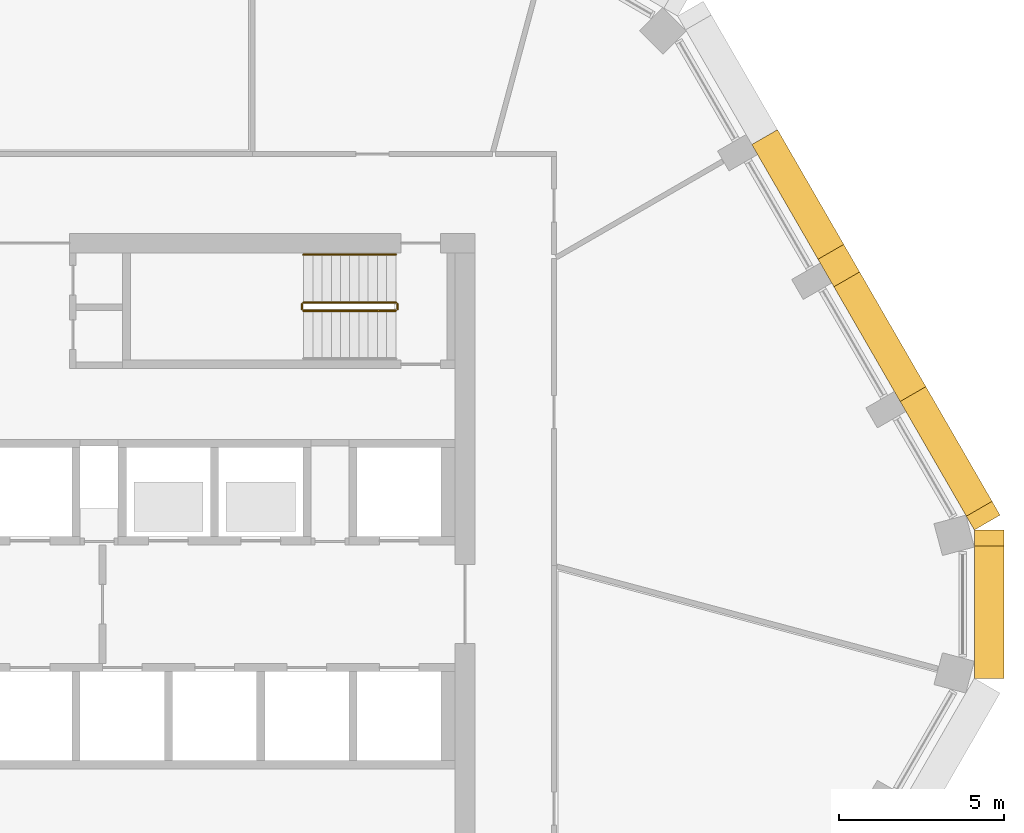
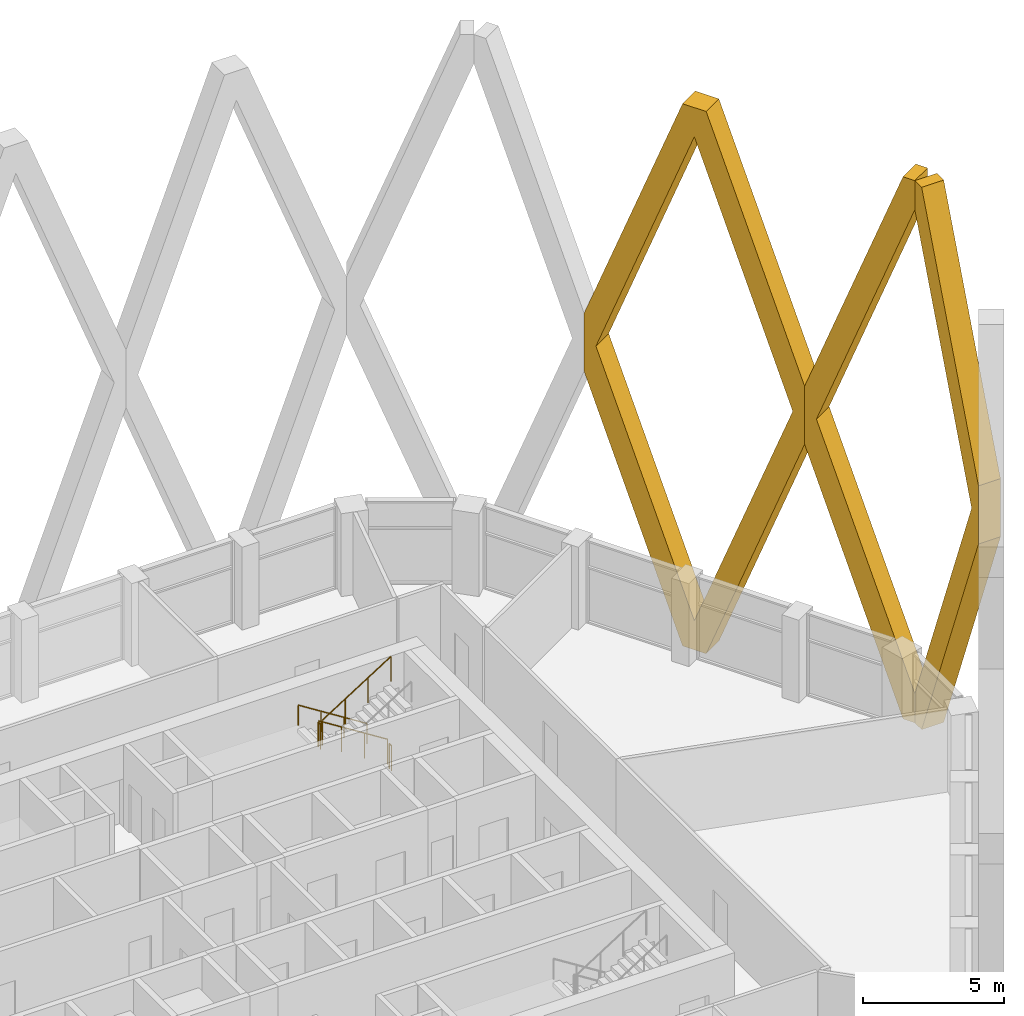
# One storey, part 18 of 20: 5 railings, 3 coverings.
"""IFC4 building model written with IfcOpenShell, lengths in metres."""

from ifc_helpers import new_model, si_unit, direction, frame, origin, origin_2d, place, context, subcontext, project, spatial, polyline, circle, outline, extrude, material, type_object, element, save


model = new_model("IFC4")

# Units and contexts
model_context = context("Model", 3, precision=1e-05, world=origin(), true_north=direction((0.0, 1.0)))
body_context = subcontext(model_context, "Body", "Model", "MODEL_VIEW")
ifc_project = project(units=[si_unit("LENGTHUNIT", "METRE"), si_unit("AREAUNIT", "SQUARE_METRE"), si_unit("VOLUMEUNIT", "CUBIC_METRE"), si_unit("PLANEANGLEUNIT", "RADIAN"), si_unit("MASSUNIT", "GRAM", prefix="KILO")], contexts=[model_context])

# Site, building, storey
site_placement = place(None, origin())
site = spatial("IfcSite", under=ifc_project, at=site_placement, CompositionType="ELEMENT")
building_placement = place(site_placement, origin())
building = spatial("IfcBuilding", under=site, at=building_placement, Name="Dhurran Vertical Campus", CompositionType="ELEMENT")
storey_placement = place(building_placement, frame((0.0, 0.0, 235.199951171875)))
storey = spatial("IfcBuildingStorey", under=building, at=storey_placement, Name="L58", CompositionType="ELEMENT", Elevation=235.199951171875)

# Coverings
ifc_material_1 = material(Name="Precast concrete C50/60", Category="concrete")
covering_type = type_object("IfcCoveringType", Name="Folded precast fin lattice diamond", PredefinedType="USERDEFINED", material=ifc_material_1)
covering_1_placement = place(storey_placement, frame((28.647216796875, -2.25, 0.0), z_axis=(1.0, 0.0, 0.0), x_axis=(0.0, 1.0, 0.0)))
element("IfcCovering", 1, at=covering_1_placement, inside=storey, type_object=covering_type, Name="FN1 L58.008", ObjectType="FIN", PredefinedType="USERDEFINED", context=body_context, shape_type="SweptSolid", body=[
    extrude(outline(polyline([(4.017822265625, 0.0), (0.0, 10.4462890625), (0.0, 12.95361328125), (4.017822265625, 23.39990234375), (4.5, 23.39990234375), (4.5, 22.146484375), (0.482177734375, 11.699951171875), (4.5, 1.253662109375), (4.5, 0.0), (4.017822265625, 0.0)])), origin(), (0.0, 0.0, 1.0), 0.89990234375),
])
covering_2_placement = place(storey_placement, frame((28.647216796875, 2.25, 0.0), z_axis=(0.866013897511, 0.50001992892, 0.0), x_axis=(-0.50001992892, 0.866013897511, 0.0)))
element("IfcCovering", 2, at=covering_2_placement, inside=storey, type_object=covering_type, Name="FN1 L58.009", ObjectType="FIN", PredefinedType="USERDEFINED", context=body_context, shape_type="SweptSolid", body=[
    extrude(outline(polyline([(4.5, 10.4462890625), (0.482177734375, 0.0), (0.0, 0.0), (0.0, 1.253662109375), (4.017822265625, 11.699951171875), (0.0, 22.146484375), (0.0, 23.39990234375), (0.482177734375, 23.39990234375), (4.5, 12.95361328125), (4.5, 10.4462890625)])), origin(), (0.0, 0.0, 1.0), 0.89990234375),
])
covering_3_placement = place(storey_placement, frame((26.397216796875, 6.147216796875, 0.0), z_axis=(0.866013897511, 0.50001992892, 0.0), x_axis=(-0.50001992892, 0.866013897511, 0.0)))
element("IfcCovering", 3, at=covering_3_placement, inside=storey, type_object=covering_type, Name="FN1 L58.010", ObjectType="FIN", PredefinedType="USERDEFINED", context=body_context, shape_type="SweptSolid", body=[
    extrude(outline(polyline([(9.0, 12.95361328125), (9.0, 10.4462890625), (4.982177734375, 0.0), (4.017822265625, 0.0), (0.0, 10.4462890625), (0.0, 12.95361328125), (4.017822265625, 23.39990234375), (4.982177734375, 23.39990234375), (9.0, 12.95361328125)]), holes=[polyline([(8.517822265625, 11.699951171875), (4.5, 22.146484375), (0.482177734375, 11.699951171875), (4.5, 1.253662109375), (8.517822265625, 11.699951171875)])]), origin(), (0.0, 0.0, 1.0), 0.89990234375),
])

# Railings
ifc_material_2 = material(Name="Stainless steel balustrade", Category="steel")
railing_type_1 = type_object("IfcRailingType", Name="co-RL-GUARD-1100", PredefinedType="GUARDRAIL", material=ifc_material_2)
railing_1_placement = place(storey_placement, frame((11.10009765625, 9.14990234375, 0.17724609375)))
element("IfcRailing", 4, at=railing_1_placement, inside=storey, type_object=railing_type_1, Name="L58 ST2 stair guard 1", PredefinedType="GUARDRAIL", context=body_context, shape_type="SweptSolid", body=[
    extrude(circle(Radius=0.02392578125, at=origin_2d()), frame((0.0, 0.0, 1.076171875), z_axis=(-0.844908973607, 0.0, 0.534910110503), x_axis=(0.0, -1.0, 0.0)), (0.0, 0.0, 1.0), 3.31396484375),
    extrude(circle(Radius=0.02099609375, at=origin_2d()), origin(), (0.0, 0.0, 1.0), 1.052001953125),
    extrude(circle(Radius=0.02099609375, at=origin_2d()), frame((-0.933349609375, 0.0, 0.5908203125)), (0.0, 0.0, 1.0), 1.052001953125),
    extrude(circle(Radius=0.02099609375, at=origin_2d()), frame((-1.86669921875, 0.0, 1.181884765625)), (0.0, 0.0, 1.0), 1.052001953125),
    extrude(circle(Radius=0.02099609375, at=origin_2d()), frame((-2.800048828125, 0.0, 1.772705078125)), (0.0, 0.0, 1.0), 1.052001953125),
])
railing_2_placement = place(storey_placement, frame((8.25, 9.10009765625, 1.949951171875)))
element("IfcRailing", 5, at=railing_2_placement, inside=storey, type_object=railing_type_1, Name="L58 ST2 stair guard 2", PredefinedType="GUARDRAIL", context=body_context, shape_type="SweptSolid", body=[
    extrude(circle(Radius=0.02392578125, at=origin_2d()), frame((0.0, 0.0, 1.076171875), z_axis=(0.0, -1.0, 0.0), x_axis=(1.0, 0.0, 0.0)), (0.0, 0.0, 1.0), 0.150146484375),
    extrude(circle(Radius=0.02099609375, at=origin_2d()), origin(), (0.0, 0.0, 1.0), 1.052001953125),
    extrude(circle(Radius=0.02099609375, at=origin_2d()), frame((0.0, -0.150146484375, 0.0)), (0.0, 0.0, 1.0), 1.052001953125),
])
railing_3_placement = place(storey_placement, frame((8.300048828125, 8.89990234375, 2.12744140625)))
element("IfcRailing", 6, at=railing_3_placement, inside=storey, type_object=railing_type_1, Name="L58 ST2 stair guard 3", PredefinedType="GUARDRAIL", context=body_context, shape_type="SweptSolid", body=[
    extrude(circle(Radius=0.02392578125, at=origin_2d()), frame((0.0, 0.0, 1.076171875), z_axis=(0.844908973607, 0.0, 0.534910110503), x_axis=(0.0, 1.0, 0.0)), (0.0, 0.0, 1.0), 3.31396484375),
    extrude(circle(Radius=0.02099609375, at=origin_2d()), origin(), (0.0, 0.0, 1.0), 1.052001953125),
    extrude(circle(Radius=0.02099609375, at=origin_2d()), frame((0.933349609375, 0.0, 0.5908203125)), (0.0, 0.0, 1.0), 1.052001953125),
    extrude(circle(Radius=0.02099609375, at=origin_2d()), frame((1.86669921875, 0.0, 1.181884765625)), (0.0, 0.0, 1.0), 1.052001953125),
    extrude(circle(Radius=0.02099609375, at=origin_2d()), frame((2.800048828125, 0.0, 1.772705078125)), (0.0, 0.0, 1.0), 1.052001953125),
])
railing_4_placement = place(storey_placement, frame((11.14990234375, 9.10009765625, 0.0)))
element("IfcRailing", 7, at=railing_4_placement, inside=storey, type_object=railing_type_1, Name="L58 ST2 stair guard 4", PredefinedType="GUARDRAIL", context=body_context, shape_type="SweptSolid", body=[
    extrude(circle(Radius=0.02392578125, at=origin_2d()), frame((0.0, 0.0, 1.076171875), z_axis=(0.0, -1.0, 0.0), x_axis=(1.0, 0.0, 0.0)), (0.0, 0.0, 1.0), 0.150146484375),
    extrude(circle(Radius=0.02099609375, at=origin_2d()), origin(), (0.0, 0.0, 1.0), 1.052001953125),
    extrude(circle(Radius=0.02099609375, at=origin_2d()), frame((0.0, -0.150146484375, 0.0)), (0.0, 0.0, 1.0), 1.052001953125),
])
ifc_material_3 = material(Name="Stainless steel handrail", Category="steel")
railing_type_2 = type_object("IfcRailingType", Name="co-RL-HANDRAIL-900", PredefinedType="HANDRAIL", material=ifc_material_3)
railing_5_placement = place(storey_placement, frame((11.10009765625, 10.60009765625, 0.17724609375)))
element("IfcRailing", 8, at=railing_5_placement, inside=storey, type_object=railing_type_2, Name="L58 ST2 stair handrail 1", PredefinedType="HANDRAIL", context=body_context, shape_type="SweptSolid", body=[
    extrude(circle(Radius=0.02392578125, at=origin_2d()), frame((0.0, 0.0, 0.8759765625), z_axis=(-0.844908973607, 0.0, 0.534910110503), x_axis=(0.0, -1.0, 0.0)), (0.0, 0.0, 1.0), 3.31396484375),
    extrude(circle(Radius=0.02099609375, at=origin_2d()), origin(), (0.0, 0.0, 1.0), 0.851806640625),
    extrude(circle(Radius=0.02099609375, at=origin_2d()), frame((-0.933349609375, 0.0, 0.5908203125)), (0.0, 0.0, 1.0), 0.851806640625),
    extrude(circle(Radius=0.02099609375, at=origin_2d()), frame((-1.86669921875, 0.0, 1.181884765625)), (0.0, 0.0, 1.0), 0.851806640625),
    extrude(circle(Radius=0.02099609375, at=origin_2d()), frame((-2.800048828125, 0.0, 1.772705078125)), (0.0, 0.0, 1.0), 0.851806640625),
])

save(model, "model.ifc")
